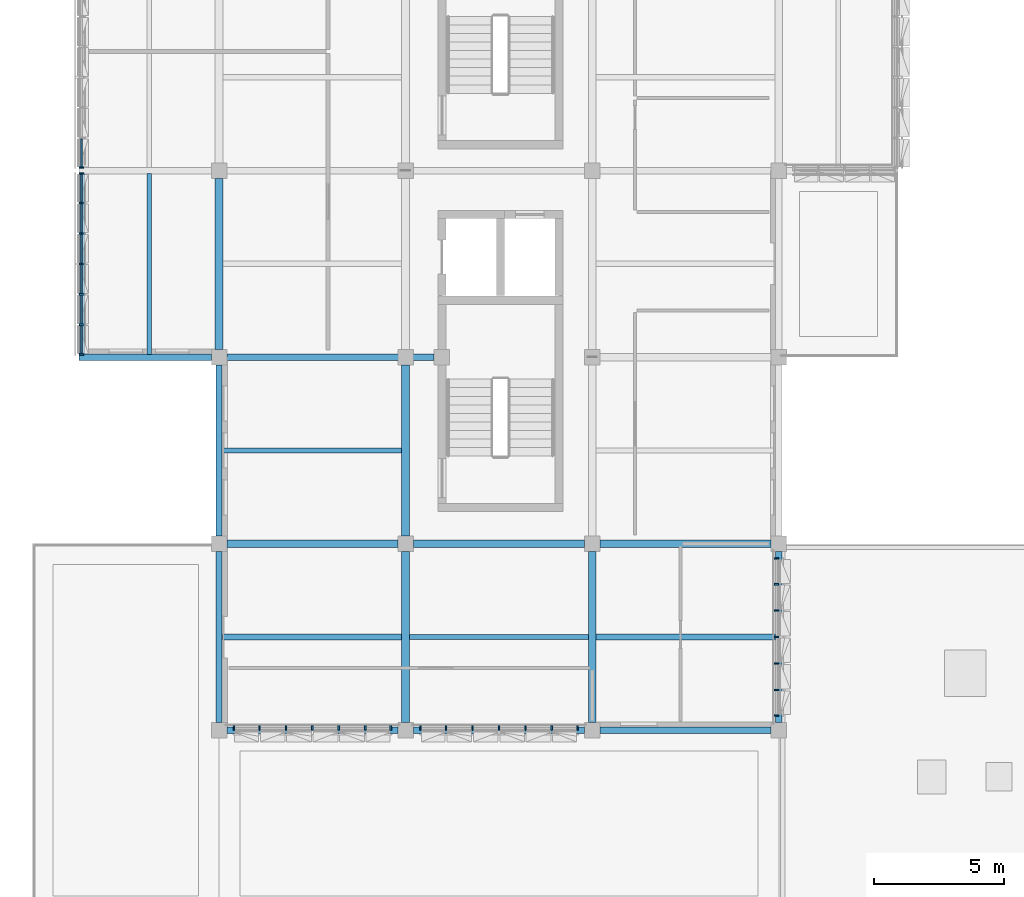
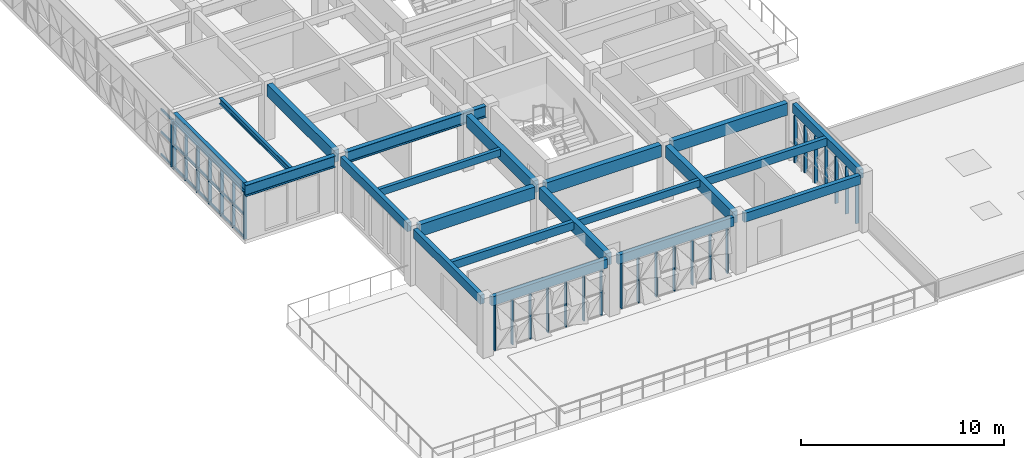
# One storey, part 2 of 74: 50 members, 21 beams, 5 elements without a shape of their own.
"""IFC4 building model written with IfcOpenShell, lengths in metres."""

from ifc_helpers import new_model, si_unit, direction, frame, origin, origin_2d, place, context, subcontext, project, spatial, rectangle, i_section, extrude, material, material_profile, profile_set, type_object, element, aggregate, save


model = new_model("IFC4")

# Units and contexts
model_context = context("Model", 3, precision=1e-05, world=origin(), true_north=direction((0.0, 1.0)))
body_context = subcontext(model_context, "Body", "Model", "MODEL_VIEW")
ifc_project = project(units=[si_unit("LENGTHUNIT", "METRE"), si_unit("AREAUNIT", "SQUARE_METRE"), si_unit("VOLUMEUNIT", "CUBIC_METRE"), si_unit("PLANEANGLEUNIT", "RADIAN"), si_unit("MASSUNIT", "GRAM", prefix="KILO")], contexts=[model_context])

# Site, building, storey
site_placement = place(None, origin())
site = spatial("IfcSite", under=ifc_project, at=site_placement, CompositionType="ELEMENT")
building_placement = place(site_placement, origin())
building = spatial("IfcBuilding", under=site, at=building_placement, Name="Alvorim Cloister Faculty of Sciences", CompositionType="ELEMENT")
storey_placement = place(building_placement, frame((0.0, 0.0, 15.75)))
storey = spatial("IfcBuildingStorey", under=building, at=storey_placement, Name="L04", CompositionType="ELEMENT", Elevation=15.75)

# Beams
ifc_material_1 = material(Name="Glulam GL32h", Category="wood")
ifc_material_profile_1 = material_profile(ifc_material_1, rectangle(XDim=0.300048828125, YDim=0.719970703125, at=origin_2d()), Name="GL32-BM-300x720")
ifc_profile_set_1 = profile_set([ifc_material_profile_1], Name="Glulam GL32h")
beam_type_1 = type_object("IfcBeamType", Name="BM-GL-300x720", PredefinedType="BEAM", material=ifc_profile_set_1)
for number, where, z_axis, x_axis, name in (
    (1, (7.5, 14.39990234375, 3.030029296875), (1.0, 0.0, 0.0), (0.0, 1.0, 0.0), "L04 Primary Beam BM-1739"),
    (2, (14.699951171875, 14.39990234375, 3.030029296875), (1.0, 0.0, 0.0), (0.0, 1.0, 0.0), "L04 Primary Beam BM-1740"),
    (3, (21.89990234375, 14.39990234375, 3.030029296875), (1.0, 0.0, 0.0), (0.0, 1.0, 0.0), "L04 Primary Beam BM-1741"),
    (4, (7.199951171875, 21.89990234375, 3.030029296875), (0.0, 1.0, 0.0), (-1.0, 0.0, 0.0), "L04 Primary Girder BM-1805"),
    (5, (14.39990234375, 7.5, 3.030029296875), (0.0, 1.0, 0.0), (-1.0, 0.0, 0.0), "L04 Primary Girder BM-1818"),
    (6, (14.39990234375, 14.699951171875, 3.030029296875), (0.0, 1.0, 0.0), (-1.0, 0.0, 0.0), "L04 Primary Girder BM-1819"),
    (7, (21.60009765625, 7.5, 3.030029296875), (0.0, 1.0, 0.0), (-1.0, 0.0, 0.0), "L04 Primary Girder BM-1833"),
):
    element("IfcBeam", number, at=place(storey_placement, frame(where, z_axis=z_axis, x_axis=x_axis)), inside=storey, type_object=beam_type_1, Name=name, PredefinedType="BEAM", context=body_context, shape_type="SweptSolid", body=[
        extrude(rectangle(XDim=0.300048828125, YDim=0.719970703125, at=origin_2d()), origin(), (0.0, 0.0, 1.0), 6.60009765625),
    ])
ifc_material_2 = material(Name="Glulam GL28h", Category="wood")
ifc_material_profile_2 = material_profile(ifc_material_2, rectangle(XDim=0.199951171875, YDim=0.419921875, at=origin_2d()), Name="GL28-JST-200x420")
ifc_profile_set_2 = profile_set([ifc_material_profile_2], Name="Glulam GL28h")
beam_type_2 = type_object("IfcBeamType", Name="BM-JST-GL-200x420", PredefinedType="JOIST", material=ifc_profile_set_2)
beam_1_placement = place(storey_placement, frame((7.320068359375, 18.0, 3.179931640625), z_axis=(1.0, 0.0, 0.0), x_axis=(0.0, 1.0, 0.0)))
element("IfcBeam", 8, at=beam_1_placement, inside=storey, type_object=beam_type_2, Name="L04 Secondary Floor Joist BM-1900", PredefinedType="JOIST", context=body_context, shape_type="SweptSolid", body=[
    extrude(rectangle(XDim=0.199951171875, YDim=0.419921875, at=origin_2d()), origin(), (0.0, 0.0, 1.0), 6.929931640625),
])
beam_2_placement = place(storey_placement, frame((14.550048828125, 10.800048828125, 3.179931640625), z_axis=(1.0, 0.0, 0.0), x_axis=(0.0, 1.0, 0.0)))
element("IfcBeam", 9, at=beam_2_placement, inside=storey, type_object=beam_type_2, Name="L04 Secondary Floor Joist BM-1914", PredefinedType="JOIST", context=body_context, shape_type="SweptSolid", body=[
    extrude(rectangle(XDim=0.199951171875, YDim=0.419921875, at=origin_2d()), origin(), (0.0, 0.0, 1.0), 6.89990234375),
])
ifc_material_profile_3 = material_profile(ifc_material_2, rectangle(XDim=0.219970703125, YDim=0.47998046875, at=origin_2d()), Name="GL28-JST-220x480")
ifc_profile_set_3 = profile_set([ifc_material_profile_3], Name="Glulam GL28h")
beam_type_3 = type_object("IfcBeamType", Name="BM-JST-GL-220x480", PredefinedType="JOIST", material=ifc_profile_set_3)
for number, where, z_axis, x_axis, name in (
    (10, (7.320068359375, 10.800048828125, 3.14990234375), (1.0, 0.0, 0.0), (0.0, 1.0, 0.0), "L04 Secondary Floor Joist BM-1899"),
    (11, (21.75, 10.800048828125, 3.14990234375), (1.0, 0.0, 0.0), (0.0, 1.0, 0.0), "L04 Secondary Floor Joist BM-1923"),
):
    element("IfcBeam", number, at=place(storey_placement, frame(where, z_axis=z_axis, x_axis=x_axis)), inside=storey, type_object=beam_type_3, Name=name, PredefinedType="JOIST", context=body_context, shape_type="SweptSolid", body=[
        extrude(rectangle(XDim=0.219970703125, YDim=0.47998046875, at=origin_2d()), origin(), (0.0, 0.0, 1.0), 6.929931640625),
    ])
ifc_material_profile_4 = material_profile(ifc_material_2, rectangle(XDim=0.239990234375, YDim=0.5400390625, at=origin_2d()), Name="GL28-SPD-240x540")
ifc_profile_set_4 = profile_set([ifc_material_profile_4], Name="Glulam GL28h")
beam_type_4 = type_object("IfcBeamType", Name="BM-SPD-GL-240x540", PredefinedType="SPANDREL", material=ifc_profile_set_4)
for number, where, z_axis, x_axis, name in (
    (12, (7.5, 7.199951171875, 3.1201171875), (1.0, 0.0, 0.0), (0.0, 1.0, 0.0), "L04 Primary Beam BM-1729"),
    (13, (14.699951171875, 7.199951171875, 3.1201171875), (1.0, 0.0, 0.0), (0.0, 1.0, 0.0), "L04 Primary Beam BM-1730"),
    (14, (21.89990234375, 7.199951171875, 3.1201171875), (1.0, 0.0, 0.0), (0.0, 1.0, 0.0), "L04 Primary Beam BM-1731"),
    (15, (7.199951171875, 7.5, 3.1201171875), (0.0, 1.0, 0.0), (-1.0, 0.0, 0.0), "L04 Primary Girder BM-1803"),
    (16, (7.199951171875, 14.699951171875, 3.1201171875), (0.0, 1.0, 0.0), (-1.0, 0.0, 0.0), "L04 Primary Girder BM-1804"),
    (17, (28.800048828125, 7.5, 3.1201171875), (0.0, 1.0, 0.0), (-1.0, 0.0, 0.0), "L04 Primary Girder BM-1848"),
):
    element("IfcBeam", number, at=place(storey_placement, frame(where, z_axis=z_axis, x_axis=x_axis)), inside=storey, type_object=beam_type_4, Name=name, PredefinedType="SPANDREL", context=body_context, shape_type="SweptSolid", body=[
        extrude(rectangle(XDim=0.239990234375, YDim=0.5400390625, at=origin_2d()), origin(), (0.0, 0.0, 1.0), 6.60009765625),
    ])
ifc_material_3 = material(Name="Steel ASTM A572 Grade 50", Category="steel")
ifc_material_profile_5 = material_profile(ifc_material_3, i_section(OverallWidth=0.1708984375, OverallDepth=0.35498046875, WebThickness=0.007080078125, FlangeThickness=0.01171875, FilletRadius=0.012939453125, at=origin_2d()), Name="W360x51.0")
ifc_profile_set_5 = profile_set([ifc_material_profile_5], Name="Steel ASTM A572 Grade 50")
beam_type_5 = type_object("IfcBeamType", Name="BM-STL-W360", PredefinedType="JOIST", material=ifc_profile_set_5)
beam_3_placement = place(storey_placement, frame((4.5, 21.7099609375, 3.21240234375), z_axis=(0.0, 1.0, 0.0), x_axis=(-1.0, 0.0, 0.0)))
element("IfcBeam", 18, at=beam_3_placement, inside=storey, type_object=beam_type_5, Name="L04 Cantilever Deck Joist BM-0096", PredefinedType="JOIST", context=body_context, shape_type="SweptSolid", body=[
    extrude(i_section(OverallWidth=0.1708984375, OverallDepth=0.35498046875, WebThickness=0.007080078125, FlangeThickness=0.01171875, FilletRadius=0.012939453125, at=origin_2d()), origin(), (0.0, 0.0, 1.0), 6.97998046875),
])
ifc_material_profile_6 = material_profile(ifc_material_3, i_section(OverallWidth=0.208984375, OverallDepth=0.532958984375, WebThickness=0.01025390625, FlangeThickness=0.015625, FilletRadius=0.01611328125, at=origin_2d()), Name="W530x92.0")
ifc_profile_set_6 = profile_set([ifc_material_profile_6], Name="Steel ASTM A572 Grade 50")
beam_type_6 = type_object("IfcBeamType", Name="BM-STL-W530", PredefinedType="BEAM", material=ifc_profile_set_6)
beam_4_placement = place(storey_placement, frame((1.919921875, 21.7099609375, 3.12353515625), z_axis=(0.0, 1.0, 0.0), x_axis=(-1.0, 0.0, 0.0)))
element("IfcBeam", 19, at=beam_4_placement, inside=storey, type_object=beam_type_6, Name="L04 Cantilever Tip Header Girder BM-0095", PredefinedType="BEAM", context=body_context, shape_type="SweptSolid", body=[
    extrude(i_section(OverallWidth=0.208984375, OverallDepth=0.532958984375, WebThickness=0.01025390625, FlangeThickness=0.015625, FilletRadius=0.01611328125, at=origin_2d()), origin(), (0.0, 0.0, 1.0), 6.97998046875),
])
ifc_material_profile_7 = material_profile(ifc_material_3, i_section(OverallWidth=0.25390625, OverallDepth=0.68408203125, WebThickness=0.012451171875, FlangeThickness=0.01904296875, FilletRadius=0.01904296875, at=origin_2d()), Name="W690x140.0")
ifc_profile_set_7 = profile_set([ifc_material_profile_7], Name="Steel ASTM A572 Grade 50")
beam_type_7 = type_object("IfcBeamType", Name="BM-STL-W690", PredefinedType="BEAM", material=ifc_profile_set_7)
beam_5_placement = place(storey_placement, frame((7.5, 21.60009765625, 3.048095703125), z_axis=(1.0, 0.0, 0.0), x_axis=(0.0, 1.0, 0.0)))
element("IfcBeam", 20, at=beam_5_placement, inside=storey, type_object=beam_type_7, Name="L04 Cantilever Backspan Girder BM-0083", PredefinedType="BEAM", context=body_context, shape_type="SweptSolid", body=[
    extrude(i_section(OverallWidth=0.25390625, OverallDepth=0.68408203125, WebThickness=0.012451171875, FlangeThickness=0.01904296875, FilletRadius=0.01904296875, at=origin_2d()), origin(), (0.0, 0.0, 1.0), 8.0),
])
beam_6_placement = place(storey_placement, frame((1.800048828125, 21.60009765625, 3.048095703125), z_axis=(1.0, 0.0, 0.0), x_axis=(0.0, 1.0, 0.0)))
element("IfcBeam", 21, at=beam_6_placement, inside=storey, type_object=beam_type_7, Name="L04 Cantilever Overhang Girder BM-0084", PredefinedType="BEAM", context=body_context, shape_type="SweptSolid", body=[
    extrude(i_section(OverallWidth=0.25390625, OverallDepth=0.68408203125, WebThickness=0.012451171875, FlangeThickness=0.01904296875, FilletRadius=0.01904296875, at=origin_2d()), origin(), (0.0, 0.0, 1.0), 5.099853515625),
])

# Curtain wall, members
ifc_material_4 = material(Name="Aluminium and Low-E Glass Curtain Wall", Category="aluminium")
curtain_wall_type_1 = type_object("IfcCurtainWallType", Name="CW-TRI-7040x2857", PredefinedType="USERDEFINED", material=ifc_material_4)
curtain_wall_1_placement = place(storey_placement, origin())
curtain_wall_1 = element("IfcCurtainWall", 22, at=curtain_wall_1_placement, inside=storey, type_object=curtain_wall_type_1, Name="L04 Diagonal Cassette Curtain Wall CW-0165", ObjectType="UNITISED CURTAIN WALL", PredefinedType="USERDEFINED")
ifc_material_5 = material(Name="Aluminium Alloy 6063-T6", Category="aluminium")
ifc_material_profile_8 = material_profile(ifc_material_5, rectangle(XDim=0.06494140625, YDim=0.179931640625, at=origin_2d()), Name="ALU-MUL-65x180")
ifc_profile_set_8 = profile_set([ifc_material_profile_8], Name="Aluminium Alloy 6063-T6")
member_type_1 = type_object("IfcMemberType", Name="CW-MUL-65x180", PredefinedType="MULLION", material=ifc_profile_set_8)
member_1_placement = place(storey_placement, frame((1.889892578125, 21.71240234375, 0.0), z_axis=(0.0, 0.0, 1.0), x_axis=(0.0, 1.0, 0.0)))
member_1 = element("IfcMember", 23, at=member_1_placement, type_object=member_type_1, Name="CW-0165 Mullion 1", PredefinedType="MULLION", context=body_context, shape_type="SweptSolid", body=[
    extrude(rectangle(XDim=0.06494140625, YDim=0.179931640625, at=origin_2d()), origin(), (0.0, 0.0, 1.0), 2.85693359375),
])
member_2_placement = place(storey_placement, frame((1.889892578125, 22.853271484375, 0.0), z_axis=(0.0, 0.0, 1.0), x_axis=(0.0, 1.0, 0.0)))
member_2 = element("IfcMember", 24, at=member_2_placement, type_object=member_type_1, Name="CW-0165 Mullion 2", PredefinedType="MULLION", context=body_context, shape_type="SweptSolid", body=[
    extrude(rectangle(XDim=0.06494140625, YDim=0.179931640625, at=origin_2d()), origin(), (0.0, 0.0, 1.0), 2.85693359375),
])
member_3_placement = place(storey_placement, frame((1.889892578125, 24.026611328125, 0.0), z_axis=(0.0, 0.0, 1.0), x_axis=(0.0, 1.0, 0.0)))
member_3 = element("IfcMember", 25, at=member_3_placement, type_object=member_type_1, Name="CW-0165 Mullion 3", PredefinedType="MULLION", context=body_context, shape_type="SweptSolid", body=[
    extrude(rectangle(XDim=0.06494140625, YDim=0.179931640625, at=origin_2d()), origin(), (0.0, 0.0, 1.0), 2.85693359375),
])
member_4_placement = place(storey_placement, frame((1.889892578125, 25.199951171875, 0.0), z_axis=(0.0, 0.0, 1.0), x_axis=(0.0, 1.0, 0.0)))
member_4 = element("IfcMember", 26, at=member_4_placement, type_object=member_type_1, Name="CW-0165 Mullion 4", PredefinedType="MULLION", context=body_context, shape_type="SweptSolid", body=[
    extrude(rectangle(XDim=0.06494140625, YDim=0.179931640625, at=origin_2d()), origin(), (0.0, 0.0, 1.0), 2.85693359375),
])
member_5_placement = place(storey_placement, frame((1.889892578125, 26.373291015625, 0.0), z_axis=(0.0, 0.0, 1.0), x_axis=(0.0, 1.0, 0.0)))
member_5 = element("IfcMember", 27, at=member_5_placement, type_object=member_type_1, Name="CW-0165 Mullion 5", PredefinedType="MULLION", context=body_context, shape_type="SweptSolid", body=[
    extrude(rectangle(XDim=0.06494140625, YDim=0.179931640625, at=origin_2d()), origin(), (0.0, 0.0, 1.0), 2.85693359375),
])
member_6_placement = place(storey_placement, frame((1.889892578125, 27.546630859375, 0.0), z_axis=(0.0, 0.0, 1.0), x_axis=(0.0, 1.0, 0.0)))
member_6 = element("IfcMember", 28, at=member_6_placement, type_object=member_type_1, Name="CW-0165 Mullion 6", PredefinedType="MULLION", context=body_context, shape_type="SweptSolid", body=[
    extrude(rectangle(XDim=0.06494140625, YDim=0.179931640625, at=origin_2d()), origin(), (0.0, 0.0, 1.0), 2.85693359375),
])
member_7_placement = place(storey_placement, frame((1.889892578125, 28.6875, 0.0), z_axis=(0.0, 0.0, 1.0), x_axis=(0.0, 1.0, 0.0)))
member_7 = element("IfcMember", 29, at=member_7_placement, type_object=member_type_1, Name="CW-0165 Mullion 7", PredefinedType="MULLION", context=body_context, shape_type="SweptSolid", body=[
    extrude(rectangle(XDim=0.06494140625, YDim=0.179931640625, at=origin_2d()), origin(), (0.0, 0.0, 1.0), 2.85693359375),
])

# Curtain wall, member
curtain_wall_2_placement = place(storey_placement, origin())
curtain_wall_2 = element("IfcCurtainWall", 30, at=curtain_wall_2_placement, inside=storey, type_object=curtain_wall_type_1, Name="L04 Diagonal Cassette Curtain Wall CW-0166", ObjectType="UNITISED CURTAIN WALL", PredefinedType="USERDEFINED")
member_8_placement = place(storey_placement, frame((1.889892578125, 28.91259765625, 0.0), z_axis=(0.0, 0.0, 1.0), x_axis=(0.0, 1.0, 0.0)))
member_8 = element("IfcMember", 31, at=member_8_placement, type_object=member_type_1, Name="CW-0166 Mullion 1", PredefinedType="MULLION", context=body_context, shape_type="SweptSolid", body=[
    extrude(rectangle(XDim=0.06494140625, YDim=0.179931640625, at=origin_2d()), origin(), (0.0, 0.0, 1.0), 2.85693359375),
])

# Curtain wall, members
curtain_wall_type_2 = type_object("IfcCurtainWallType", Name="CW-TRI-6120x2850", PredefinedType="USERDEFINED", material=ifc_material_4)
curtain_wall_3_placement = place(storey_placement, origin())
curtain_wall_3 = element("IfcCurtainWall", 32, at=curtain_wall_3_placement, inside=storey, type_object=curtain_wall_type_2, Name="L04 Diagonal Cassette Curtain Wall CW-0200", ObjectType="UNITISED CURTAIN WALL", PredefinedType="USERDEFINED")
member_9_placement = place(storey_placement, frame((28.7099609375, 7.7724609375, 0.0), z_axis=(0.0, 0.0, 1.0), x_axis=(0.0, 1.0, 0.0)))
member_9 = element("IfcMember", 33, at=member_9_placement, type_object=member_type_1, Name="CW-0200 Mullion 1", PredefinedType="MULLION", context=body_context, shape_type="SweptSolid", body=[
    extrude(rectangle(XDim=0.06494140625, YDim=0.179931640625, at=origin_2d()), origin(), (0.0, 0.0, 1.0), 2.85009765625),
])
member_10_placement = place(storey_placement, frame((28.7099609375, 8.760009765625, 0.0), z_axis=(0.0, 0.0, 1.0), x_axis=(0.0, 1.0, 0.0)))
member_10 = element("IfcMember", 34, at=member_10_placement, type_object=member_type_1, Name="CW-0200 Mullion 2", PredefinedType="MULLION", context=body_context, shape_type="SweptSolid", body=[
    extrude(rectangle(XDim=0.06494140625, YDim=0.179931640625, at=origin_2d()), origin(), (0.0, 0.0, 1.0), 2.85009765625),
])
member_11_placement = place(storey_placement, frame((28.7099609375, 9.780029296875, 0.0), z_axis=(0.0, 0.0, 1.0), x_axis=(0.0, 1.0, 0.0)))
member_11 = element("IfcMember", 35, at=member_11_placement, type_object=member_type_1, Name="CW-0200 Mullion 3", PredefinedType="MULLION", context=body_context, shape_type="SweptSolid", body=[
    extrude(rectangle(XDim=0.06494140625, YDim=0.179931640625, at=origin_2d()), origin(), (0.0, 0.0, 1.0), 2.85009765625),
])
member_12_placement = place(storey_placement, frame((28.7099609375, 10.800048828125, 0.0), z_axis=(0.0, 0.0, 1.0), x_axis=(0.0, 1.0, 0.0)))
member_12 = element("IfcMember", 36, at=member_12_placement, type_object=member_type_1, Name="CW-0200 Mullion 4", PredefinedType="MULLION", context=body_context, shape_type="SweptSolid", body=[
    extrude(rectangle(XDim=0.06494140625, YDim=0.179931640625, at=origin_2d()), origin(), (0.0, 0.0, 1.0), 2.85009765625),
])
member_13_placement = place(storey_placement, frame((28.7099609375, 11.820068359375, 0.0), z_axis=(0.0, 0.0, 1.0), x_axis=(0.0, 1.0, 0.0)))
member_13 = element("IfcMember", 37, at=member_13_placement, type_object=member_type_1, Name="CW-0200 Mullion 5", PredefinedType="MULLION", context=body_context, shape_type="SweptSolid", body=[
    extrude(rectangle(XDim=0.06494140625, YDim=0.179931640625, at=origin_2d()), origin(), (0.0, 0.0, 1.0), 2.85009765625),
])
member_14_placement = place(storey_placement, frame((28.7099609375, 12.840087890625, 0.0), z_axis=(0.0, 0.0, 1.0), x_axis=(0.0, 1.0, 0.0)))
member_14 = element("IfcMember", 38, at=member_14_placement, type_object=member_type_1, Name="CW-0200 Mullion 6", PredefinedType="MULLION", context=body_context, shape_type="SweptSolid", body=[
    extrude(rectangle(XDim=0.06494140625, YDim=0.179931640625, at=origin_2d()), origin(), (0.0, 0.0, 1.0), 2.85009765625),
])
member_15_placement = place(storey_placement, frame((28.7099609375, 13.827392578125, 0.0), z_axis=(0.0, 0.0, 1.0), x_axis=(0.0, 1.0, 0.0)))
member_15 = element("IfcMember", 39, at=member_15_placement, type_object=member_type_1, Name="CW-0200 Mullion 7", PredefinedType="MULLION", context=body_context, shape_type="SweptSolid", body=[
    extrude(rectangle(XDim=0.06494140625, YDim=0.179931640625, at=origin_2d()), origin(), (0.0, 0.0, 1.0), 2.85009765625),
])
aggregate(curtain_wall_3, [member_9, member_10, member_11, member_12, member_13, member_14, member_15])

curtain_wall_4_placement = place(storey_placement, origin())
curtain_wall_4 = element("IfcCurtainWall", 40, at=curtain_wall_4_placement, inside=storey, type_object=curtain_wall_type_2, Name="L04 Diagonal Cassette Curtain Wall CW-0201", ObjectType="UNITISED CURTAIN WALL", PredefinedType="USERDEFINED")
member_16_placement = place(storey_placement, frame((14.972412109375, 7.2900390625, 0.0), z_axis=(0.0, 0.0, 1.0), x_axis=(1.0, 0.0, 0.0)))
member_16 = element("IfcMember", 41, at=member_16_placement, type_object=member_type_1, Name="CW-0201 Mullion 1", PredefinedType="MULLION", context=body_context, shape_type="SweptSolid", body=[
    extrude(rectangle(XDim=0.06494140625, YDim=0.179931640625, at=origin_2d()), origin(), (0.0, 0.0, 1.0), 2.85009765625),
])
member_17_placement = place(storey_placement, frame((15.9599609375, 7.2900390625, 0.0), z_axis=(0.0, 0.0, 1.0), x_axis=(1.0, 0.0, 0.0)))
member_17 = element("IfcMember", 42, at=member_17_placement, type_object=member_type_1, Name="CW-0201 Mullion 2", PredefinedType="MULLION", context=body_context, shape_type="SweptSolid", body=[
    extrude(rectangle(XDim=0.06494140625, YDim=0.179931640625, at=origin_2d()), origin(), (0.0, 0.0, 1.0), 2.85009765625),
])
member_18_placement = place(storey_placement, frame((16.97998046875, 7.2900390625, 0.0), z_axis=(0.0, 0.0, 1.0), x_axis=(1.0, 0.0, 0.0)))
member_18 = element("IfcMember", 43, at=member_18_placement, type_object=member_type_1, Name="CW-0201 Mullion 3", PredefinedType="MULLION", context=body_context, shape_type="SweptSolid", body=[
    extrude(rectangle(XDim=0.06494140625, YDim=0.179931640625, at=origin_2d()), origin(), (0.0, 0.0, 1.0), 2.85009765625),
])
member_19_placement = place(storey_placement, frame((18.0, 7.2900390625, 0.0), z_axis=(0.0, 0.0, 1.0), x_axis=(1.0, 0.0, 0.0)))
member_19 = element("IfcMember", 44, at=member_19_placement, type_object=member_type_1, Name="CW-0201 Mullion 4", PredefinedType="MULLION", context=body_context, shape_type="SweptSolid", body=[
    extrude(rectangle(XDim=0.06494140625, YDim=0.179931640625, at=origin_2d()), origin(), (0.0, 0.0, 1.0), 2.85009765625),
])
member_20_placement = place(storey_placement, frame((19.02001953125, 7.2900390625, 0.0), z_axis=(0.0, 0.0, 1.0), x_axis=(1.0, 0.0, 0.0)))
member_20 = element("IfcMember", 45, at=member_20_placement, type_object=member_type_1, Name="CW-0201 Mullion 5", PredefinedType="MULLION", context=body_context, shape_type="SweptSolid", body=[
    extrude(rectangle(XDim=0.06494140625, YDim=0.179931640625, at=origin_2d()), origin(), (0.0, 0.0, 1.0), 2.85009765625),
])
member_21_placement = place(storey_placement, frame((20.0400390625, 7.2900390625, 0.0), z_axis=(0.0, 0.0, 1.0), x_axis=(1.0, 0.0, 0.0)))
member_21 = element("IfcMember", 46, at=member_21_placement, type_object=member_type_1, Name="CW-0201 Mullion 6", PredefinedType="MULLION", context=body_context, shape_type="SweptSolid", body=[
    extrude(rectangle(XDim=0.06494140625, YDim=0.179931640625, at=origin_2d()), origin(), (0.0, 0.0, 1.0), 2.85009765625),
])
member_22_placement = place(storey_placement, frame((21.027587890625, 7.2900390625, 0.0), z_axis=(0.0, 0.0, 1.0), x_axis=(1.0, 0.0, 0.0)))
member_22 = element("IfcMember", 47, at=member_22_placement, type_object=member_type_1, Name="CW-0201 Mullion 7", PredefinedType="MULLION", context=body_context, shape_type="SweptSolid", body=[
    extrude(rectangle(XDim=0.06494140625, YDim=0.179931640625, at=origin_2d()), origin(), (0.0, 0.0, 1.0), 2.85009765625),
])
aggregate(curtain_wall_4, [member_16, member_17, member_18, member_19, member_20, member_21, member_22])

curtain_wall_5_placement = place(storey_placement, origin())
curtain_wall_5 = element("IfcCurtainWall", 48, at=curtain_wall_5_placement, inside=storey, type_object=curtain_wall_type_2, Name="L04 Diagonal Cassette Curtain Wall CW-0202", ObjectType="UNITISED CURTAIN WALL", PredefinedType="USERDEFINED")
member_23_placement = place(storey_placement, frame((7.7724609375, 7.2900390625, 0.0), z_axis=(0.0, 0.0, 1.0), x_axis=(1.0, 0.0, 0.0)))
member_23 = element("IfcMember", 49, at=member_23_placement, type_object=member_type_1, Name="CW-0202 Mullion 1", PredefinedType="MULLION", context=body_context, shape_type="SweptSolid", body=[
    extrude(rectangle(XDim=0.06494140625, YDim=0.179931640625, at=origin_2d()), origin(), (0.0, 0.0, 1.0), 2.85009765625),
])
member_24_placement = place(storey_placement, frame((8.760009765625, 7.2900390625, 0.0), z_axis=(0.0, 0.0, 1.0), x_axis=(1.0, 0.0, 0.0)))
member_24 = element("IfcMember", 50, at=member_24_placement, type_object=member_type_1, Name="CW-0202 Mullion 2", PredefinedType="MULLION", context=body_context, shape_type="SweptSolid", body=[
    extrude(rectangle(XDim=0.06494140625, YDim=0.179931640625, at=origin_2d()), origin(), (0.0, 0.0, 1.0), 2.85009765625),
])
member_25_placement = place(storey_placement, frame((9.780029296875, 7.2900390625, 0.0), z_axis=(0.0, 0.0, 1.0), x_axis=(1.0, 0.0, 0.0)))
member_25 = element("IfcMember", 51, at=member_25_placement, type_object=member_type_1, Name="CW-0202 Mullion 3", PredefinedType="MULLION", context=body_context, shape_type="SweptSolid", body=[
    extrude(rectangle(XDim=0.06494140625, YDim=0.179931640625, at=origin_2d()), origin(), (0.0, 0.0, 1.0), 2.85009765625),
])
member_26_placement = place(storey_placement, frame((10.800048828125, 7.2900390625, 0.0), z_axis=(0.0, 0.0, 1.0), x_axis=(1.0, 0.0, 0.0)))
member_26 = element("IfcMember", 52, at=member_26_placement, type_object=member_type_1, Name="CW-0202 Mullion 4", PredefinedType="MULLION", context=body_context, shape_type="SweptSolid", body=[
    extrude(rectangle(XDim=0.06494140625, YDim=0.179931640625, at=origin_2d()), origin(), (0.0, 0.0, 1.0), 2.85009765625),
])
member_27_placement = place(storey_placement, frame((11.820068359375, 7.2900390625, 0.0), z_axis=(0.0, 0.0, 1.0), x_axis=(1.0, 0.0, 0.0)))
member_27 = element("IfcMember", 53, at=member_27_placement, type_object=member_type_1, Name="CW-0202 Mullion 5", PredefinedType="MULLION", context=body_context, shape_type="SweptSolid", body=[
    extrude(rectangle(XDim=0.06494140625, YDim=0.179931640625, at=origin_2d()), origin(), (0.0, 0.0, 1.0), 2.85009765625),
])
member_28_placement = place(storey_placement, frame((12.840087890625, 7.2900390625, 0.0), z_axis=(0.0, 0.0, 1.0), x_axis=(1.0, 0.0, 0.0)))
member_28 = element("IfcMember", 54, at=member_28_placement, type_object=member_type_1, Name="CW-0202 Mullion 6", PredefinedType="MULLION", context=body_context, shape_type="SweptSolid", body=[
    extrude(rectangle(XDim=0.06494140625, YDim=0.179931640625, at=origin_2d()), origin(), (0.0, 0.0, 1.0), 2.85009765625),
])
member_29_placement = place(storey_placement, frame((13.827392578125, 7.2900390625, 0.0), z_axis=(0.0, 0.0, 1.0), x_axis=(1.0, 0.0, 0.0)))
member_29 = element("IfcMember", 55, at=member_29_placement, type_object=member_type_1, Name="CW-0202 Mullion 7", PredefinedType="MULLION", context=body_context, shape_type="SweptSolid", body=[
    extrude(rectangle(XDim=0.06494140625, YDim=0.179931640625, at=origin_2d()), origin(), (0.0, 0.0, 1.0), 2.85009765625),
])
aggregate(curtain_wall_5, [member_23, member_24, member_25, member_26, member_27, member_28, member_29])

# Member
ifc_material_profile_9 = material_profile(ifc_material_5, rectangle(XDim=0.06494140625, YDim=0.139892578125, at=origin_2d()), Name="ALU-TRN-65x140")
ifc_profile_set_9 = profile_set([ifc_material_profile_9], Name="Aluminium Alloy 6063-T6")
member_type_2 = type_object("IfcMemberType", Name="CW-TRN-65x140", PredefinedType="USERDEFINED", material=ifc_profile_set_9)
member_30_placement = place(storey_placement, frame((1.889892578125, 21.7451171875, 0.070068359375), z_axis=(0.0, 1.0, 0.0), x_axis=(-1.0, 0.0, 0.0)))
member_30 = element("IfcMember", 56, at=member_30_placement, type_object=member_type_2, Name="CW-0165 Transom 1.1", ObjectType="TRANSOM", PredefinedType="USERDEFINED", context=body_context, shape_type="SweptSolid", body=[
    extrude(rectangle(XDim=0.06494140625, YDim=0.139892578125, at=origin_2d()), origin(), (0.0, 0.0, 1.0), 1.07568359375),
])

member_31_placement = place(storey_placement, frame((1.889892578125, 21.7451171875, 1.428466796875), z_axis=(0.0, 1.0, 0.0), x_axis=(-1.0, 0.0, 0.0)))
member_31 = element("IfcMember", 57, at=member_31_placement, type_object=member_type_2, Name="CW-0165 Transom 1.2", ObjectType="TRANSOM", PredefinedType="USERDEFINED", context=body_context, shape_type="SweptSolid", body=[
    extrude(rectangle(XDim=0.06494140625, YDim=0.139892578125, at=origin_2d()), origin(), (0.0, 0.0, 1.0), 1.07568359375),
])

member_32_placement = place(storey_placement, frame((1.889892578125, 21.7451171875, 2.787109375), z_axis=(0.0, 1.0, 0.0), x_axis=(-1.0, 0.0, 0.0)))
member_32 = element("IfcMember", 58, at=member_32_placement, type_object=member_type_2, Name="CW-0165 Transom 1.3", ObjectType="TRANSOM", PredefinedType="USERDEFINED", context=body_context, shape_type="SweptSolid", body=[
    extrude(rectangle(XDim=0.06494140625, YDim=0.139892578125, at=origin_2d()), origin(), (0.0, 0.0, 1.0), 1.07568359375),
])

member_33_placement = place(storey_placement, frame((1.889892578125, 22.8857421875, 0.070068359375), z_axis=(0.0, 1.0, 0.0), x_axis=(-1.0, 0.0, 0.0)))
member_33 = element("IfcMember", 59, at=member_33_placement, type_object=member_type_2, Name="CW-0165 Transom 2.1", ObjectType="TRANSOM", PredefinedType="USERDEFINED", context=body_context, shape_type="SweptSolid", body=[
    extrude(rectangle(XDim=0.06494140625, YDim=0.139892578125, at=origin_2d()), origin(), (0.0, 0.0, 1.0), 1.1083984375),
])

member_34_placement = place(storey_placement, frame((1.889892578125, 22.8857421875, 1.428466796875), z_axis=(0.0, 1.0, 0.0), x_axis=(-1.0, 0.0, 0.0)))
member_34 = element("IfcMember", 60, at=member_34_placement, type_object=member_type_2, Name="CW-0165 Transom 2.2", ObjectType="TRANSOM", PredefinedType="USERDEFINED", context=body_context, shape_type="SweptSolid", body=[
    extrude(rectangle(XDim=0.06494140625, YDim=0.139892578125, at=origin_2d()), origin(), (0.0, 0.0, 1.0), 1.1083984375),
])

member_35_placement = place(storey_placement, frame((1.889892578125, 22.8857421875, 2.787109375), z_axis=(0.0, 1.0, 0.0), x_axis=(-1.0, 0.0, 0.0)))
member_35 = element("IfcMember", 61, at=member_35_placement, type_object=member_type_2, Name="CW-0165 Transom 2.3", ObjectType="TRANSOM", PredefinedType="USERDEFINED", context=body_context, shape_type="SweptSolid", body=[
    extrude(rectangle(XDim=0.06494140625, YDim=0.139892578125, at=origin_2d()), origin(), (0.0, 0.0, 1.0), 1.1083984375),
])

member_36_placement = place(storey_placement, frame((1.889892578125, 24.05908203125, 0.070068359375), z_axis=(0.0, 1.0, 0.0), x_axis=(-1.0, 0.0, 0.0)))
member_36 = element("IfcMember", 62, at=member_36_placement, type_object=member_type_2, Name="CW-0165 Transom 3.1", ObjectType="TRANSOM", PredefinedType="USERDEFINED", context=body_context, shape_type="SweptSolid", body=[
    extrude(rectangle(XDim=0.06494140625, YDim=0.139892578125, at=origin_2d()), origin(), (0.0, 0.0, 1.0), 1.1083984375),
])

member_37_placement = place(storey_placement, frame((1.889892578125, 24.05908203125, 1.428466796875), z_axis=(0.0, 1.0, 0.0), x_axis=(-1.0, 0.0, 0.0)))
member_37 = element("IfcMember", 63, at=member_37_placement, type_object=member_type_2, Name="CW-0165 Transom 3.2", ObjectType="TRANSOM", PredefinedType="USERDEFINED", context=body_context, shape_type="SweptSolid", body=[
    extrude(rectangle(XDim=0.06494140625, YDim=0.139892578125, at=origin_2d()), origin(), (0.0, 0.0, 1.0), 1.1083984375),
])

member_38_placement = place(storey_placement, frame((1.889892578125, 24.05908203125, 2.787109375), z_axis=(0.0, 1.0, 0.0), x_axis=(-1.0, 0.0, 0.0)))
member_38 = element("IfcMember", 64, at=member_38_placement, type_object=member_type_2, Name="CW-0165 Transom 3.3", ObjectType="TRANSOM", PredefinedType="USERDEFINED", context=body_context, shape_type="SweptSolid", body=[
    extrude(rectangle(XDim=0.06494140625, YDim=0.139892578125, at=origin_2d()), origin(), (0.0, 0.0, 1.0), 1.1083984375),
])

member_39_placement = place(storey_placement, frame((1.889892578125, 25.232421875, 0.070068359375), z_axis=(0.0, 1.0, 0.0), x_axis=(-1.0, 0.0, 0.0)))
member_39 = element("IfcMember", 65, at=member_39_placement, type_object=member_type_2, Name="CW-0165 Transom 4.1", ObjectType="TRANSOM", PredefinedType="USERDEFINED", context=body_context, shape_type="SweptSolid", body=[
    extrude(rectangle(XDim=0.06494140625, YDim=0.139892578125, at=origin_2d()), origin(), (0.0, 0.0, 1.0), 1.1083984375),
])

member_40_placement = place(storey_placement, frame((1.889892578125, 25.232421875, 1.428466796875), z_axis=(0.0, 1.0, 0.0), x_axis=(-1.0, 0.0, 0.0)))
member_40 = element("IfcMember", 66, at=member_40_placement, type_object=member_type_2, Name="CW-0165 Transom 4.2", ObjectType="TRANSOM", PredefinedType="USERDEFINED", context=body_context, shape_type="SweptSolid", body=[
    extrude(rectangle(XDim=0.06494140625, YDim=0.139892578125, at=origin_2d()), origin(), (0.0, 0.0, 1.0), 1.1083984375),
])

member_41_placement = place(storey_placement, frame((1.889892578125, 25.232421875, 2.787109375), z_axis=(0.0, 1.0, 0.0), x_axis=(-1.0, 0.0, 0.0)))
member_41 = element("IfcMember", 67, at=member_41_placement, type_object=member_type_2, Name="CW-0165 Transom 4.3", ObjectType="TRANSOM", PredefinedType="USERDEFINED", context=body_context, shape_type="SweptSolid", body=[
    extrude(rectangle(XDim=0.06494140625, YDim=0.139892578125, at=origin_2d()), origin(), (0.0, 0.0, 1.0), 1.1083984375),
])

member_42_placement = place(storey_placement, frame((1.889892578125, 26.40576171875, 0.070068359375), z_axis=(0.0, 1.0, 0.0), x_axis=(-1.0, 0.0, 0.0)))
member_42 = element("IfcMember", 68, at=member_42_placement, type_object=member_type_2, Name="CW-0165 Transom 5.1", ObjectType="TRANSOM", PredefinedType="USERDEFINED", context=body_context, shape_type="SweptSolid", body=[
    extrude(rectangle(XDim=0.06494140625, YDim=0.139892578125, at=origin_2d()), origin(), (0.0, 0.0, 1.0), 1.1083984375),
])

member_43_placement = place(storey_placement, frame((1.889892578125, 26.40576171875, 1.428466796875), z_axis=(0.0, 1.0, 0.0), x_axis=(-1.0, 0.0, 0.0)))
member_43 = element("IfcMember", 69, at=member_43_placement, type_object=member_type_2, Name="CW-0165 Transom 5.2", ObjectType="TRANSOM", PredefinedType="USERDEFINED", context=body_context, shape_type="SweptSolid", body=[
    extrude(rectangle(XDim=0.06494140625, YDim=0.139892578125, at=origin_2d()), origin(), (0.0, 0.0, 1.0), 1.1083984375),
])

member_44_placement = place(storey_placement, frame((1.889892578125, 26.40576171875, 2.787109375), z_axis=(0.0, 1.0, 0.0), x_axis=(-1.0, 0.0, 0.0)))
member_44 = element("IfcMember", 70, at=member_44_placement, type_object=member_type_2, Name="CW-0165 Transom 5.3", ObjectType="TRANSOM", PredefinedType="USERDEFINED", context=body_context, shape_type="SweptSolid", body=[
    extrude(rectangle(XDim=0.06494140625, YDim=0.139892578125, at=origin_2d()), origin(), (0.0, 0.0, 1.0), 1.1083984375),
])

member_45_placement = place(storey_placement, frame((1.889892578125, 27.5791015625, 0.070068359375), z_axis=(0.0, 1.0, 0.0), x_axis=(-1.0, 0.0, 0.0)))
member_45 = element("IfcMember", 71, at=member_45_placement, type_object=member_type_2, Name="CW-0165 Transom 6.1", ObjectType="TRANSOM", PredefinedType="USERDEFINED", context=body_context, shape_type="SweptSolid", body=[
    extrude(rectangle(XDim=0.06494140625, YDim=0.139892578125, at=origin_2d()), origin(), (0.0, 0.0, 1.0), 1.075927734375),
])

member_46_placement = place(storey_placement, frame((1.889892578125, 27.5791015625, 1.428466796875), z_axis=(0.0, 1.0, 0.0), x_axis=(-1.0, 0.0, 0.0)))
member_46 = element("IfcMember", 72, at=member_46_placement, type_object=member_type_2, Name="CW-0165 Transom 6.2", ObjectType="TRANSOM", PredefinedType="USERDEFINED", context=body_context, shape_type="SweptSolid", body=[
    extrude(rectangle(XDim=0.06494140625, YDim=0.139892578125, at=origin_2d()), origin(), (0.0, 0.0, 1.0), 1.075927734375),
])

member_47_placement = place(storey_placement, frame((1.889892578125, 27.5791015625, 2.787109375), z_axis=(0.0, 1.0, 0.0), x_axis=(-1.0, 0.0, 0.0)))
member_47 = element("IfcMember", 73, at=member_47_placement, type_object=member_type_2, Name="CW-0165 Transom 6.3", ObjectType="TRANSOM", PredefinedType="USERDEFINED", context=body_context, shape_type="SweptSolid", body=[
    extrude(rectangle(XDim=0.06494140625, YDim=0.139892578125, at=origin_2d()), origin(), (0.0, 0.0, 1.0), 1.075927734375),
])

aggregate(curtain_wall_1, [member_1, member_2, member_3, member_4, member_5, member_6, member_7, member_30, member_31, member_32, member_33, member_34, member_35, member_36, member_37, member_38, member_39, member_40, member_41, member_42, member_43, member_44, member_45, member_46, member_47])

member_48_placement = place(storey_placement, frame((1.889892578125, 28.945068359375, 0.070068359375), z_axis=(0.0, 1.0, 0.0), x_axis=(-1.0, 0.0, 0.0)))
member_48 = element("IfcMember", 74, at=member_48_placement, type_object=member_type_2, Name="CW-0166 Transom 1.1", ObjectType="TRANSOM", PredefinedType="USERDEFINED", context=body_context, shape_type="SweptSolid", body=[
    extrude(rectangle(XDim=0.06494140625, YDim=0.139892578125, at=origin_2d()), origin(), (0.0, 0.0, 1.0), 1.07568359375),
])

member_49_placement = place(storey_placement, frame((1.889892578125, 28.945068359375, 1.428466796875), z_axis=(0.0, 1.0, 0.0), x_axis=(-1.0, 0.0, 0.0)))
member_49 = element("IfcMember", 75, at=member_49_placement, type_object=member_type_2, Name="CW-0166 Transom 1.2", ObjectType="TRANSOM", PredefinedType="USERDEFINED", context=body_context, shape_type="SweptSolid", body=[
    extrude(rectangle(XDim=0.06494140625, YDim=0.139892578125, at=origin_2d()), origin(), (0.0, 0.0, 1.0), 1.07568359375),
])

member_50_placement = place(storey_placement, frame((1.889892578125, 28.945068359375, 2.787109375), z_axis=(0.0, 1.0, 0.0), x_axis=(-1.0, 0.0, 0.0)))
member_50 = element("IfcMember", 76, at=member_50_placement, type_object=member_type_2, Name="CW-0166 Transom 1.3", ObjectType="TRANSOM", PredefinedType="USERDEFINED", context=body_context, shape_type="SweptSolid", body=[
    extrude(rectangle(XDim=0.06494140625, YDim=0.139892578125, at=origin_2d()), origin(), (0.0, 0.0, 1.0), 1.07568359375),
])

aggregate(curtain_wall_2, [member_8, member_48, member_49, member_50])

save(model, "model.ifc")
